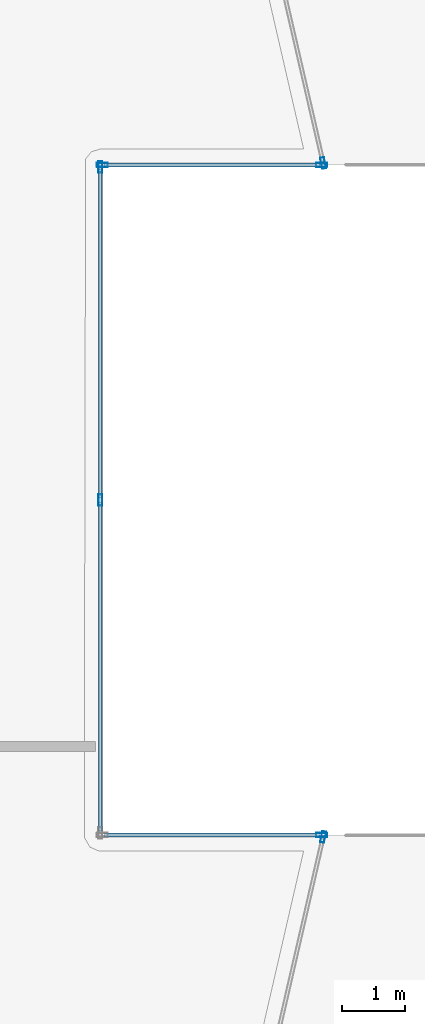
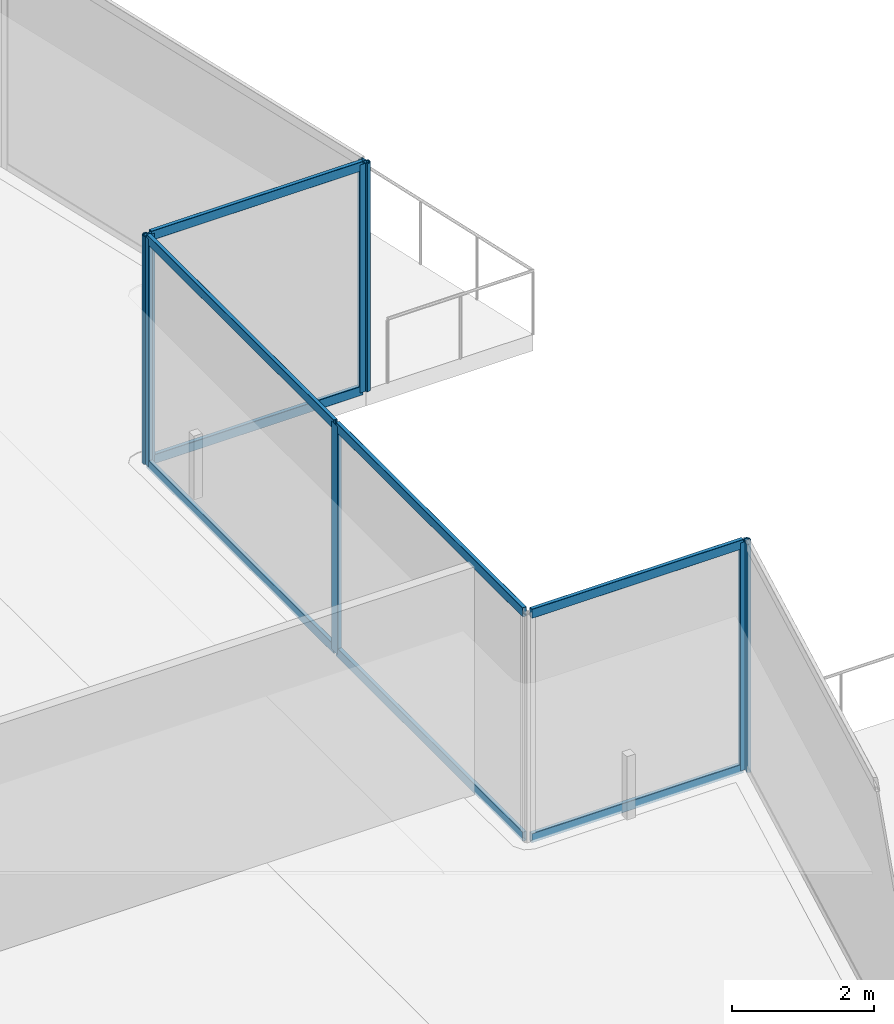
# One storey, part 24 of 44: 15 members, 5 elements without a shape of their own.
"""IFC4 building model written with IfcOpenShell, lengths in metres."""

from ifc_helpers import new_model, si_unit, direction, frame, origin, origin_2d, place, context, subcontext, project, spatial, hollow_rectangle, extrude, material, layer, layer_set, material_profile, profile_set, type_object, element, aggregate, save


model = new_model("IFC4")

# Units and contexts
model_context = context("Model", 3, precision=1e-05, world=origin(), true_north=direction((0.0, 1.0)))
body_context = subcontext(model_context, "Body", "Model", "MODEL_VIEW")
ifc_project = project(units=[si_unit("LENGTHUNIT", "METRE"), si_unit("AREAUNIT", "SQUARE_METRE"), si_unit("VOLUMEUNIT", "CUBIC_METRE"), si_unit("PLANEANGLEUNIT", "RADIAN"), si_unit("MASSUNIT", "GRAM", prefix="KILO")], contexts=[model_context])

# Site, building, storey
site_placement = place(None, origin())
site = spatial("IfcSite", under=ifc_project, at=site_placement, CompositionType="ELEMENT")
building_placement = place(site_placement, origin())
building = spatial("IfcBuilding", under=site, at=building_placement, Name="Qorvath Tower", CompositionType="ELEMENT")
storey_placement = place(building_placement, frame((0.0, 0.0, 45.0)))
storey = spatial("IfcBuildingStorey", under=building, at=storey_placement, Name="L09", CompositionType="ELEMENT", Elevation=45.0)

# Curtain wall, member
ifc_material_1 = material(Name="Anodised aluminium and triple low-E glass", Category="aluminium")
ifc_layer = layer(ifc_material_1, 0.179931640625)
ifc_layer_set = layer_set([ifc_layer], Name="CW-SYS-2")
curtain_wall_type = type_object("IfcCurtainWallType", Name="CW-SYS-2", PredefinedType="NOTDEFINED", material=ifc_layer_set)
curtain_wall_1_placement = place(storey_placement, origin())
curtain_wall_1 = element("IfcCurtainWall", 1, at=curtain_wall_1_placement, inside=storey, type_object=curtain_wall_type, Name="Curtain Wall CW-2 CW-T-L09-7.1", PredefinedType="NOTDEFINED")
ifc_material_2 = material(Name="Anodised aluminium 6063-T6", Category="aluminium")
ifc_material_profile_1 = material_profile(ifc_material_2, hollow_rectangle(XDim=0.06494140625, YDim=0.179931640625, WallThickness=0.00341796875, InnerFilletRadius=0.00341796875, OuterFilletRadius=0.007080078125, at=origin_2d()), Name="CWM 180x65")
ifc_profile_set_1 = profile_set([ifc_material_profile_1], Name="Anodised aluminium 6063-T6")
member_type_1 = type_object("IfcMemberType", Name="CWM-180", PredefinedType="MULLION", material=ifc_profile_set_1)
member_1_placement = place(storey_placement, frame((7.306884765625, -5.388427734375, 0.0), z_axis=(0.0, 0.0, 1.0), x_axis=(-0.974466004857, 0.224535087188, 0.0)))
member_1 = element("IfcMember", 2, at=member_1_placement, type_object=member_type_1, Name="CW-2 mullion 2", PredefinedType="MULLION", context=body_context, shape_type="SweptSolid", body=[
    extrude(hollow_rectangle(XDim=0.06494140625, YDim=0.179931640625, WallThickness=0.00341796875, InnerFilletRadius=0.00341796875, OuterFilletRadius=0.007080078125, at=origin_2d()), origin(), (0.0, 0.0, 1.0), 3.919921875),
])
aggregate(curtain_wall_1, [member_1])

curtain_wall_2_placement = place(storey_placement, origin())
curtain_wall_2 = element("IfcCurtainWall", 3, at=curtain_wall_2_placement, inside=storey, type_object=curtain_wall_type, Name="Curtain Wall CW-2 CW-T-L09-8.1", PredefinedType="NOTDEFINED")
member_2_placement = place(storey_placement, frame((7.28173828125, -5.356689453125, 0.0), z_axis=(0.0, 0.0, 1.0), x_axis=(0.0, -1.0, 0.0)))
member_2 = element("IfcMember", 4, at=member_2_placement, type_object=member_type_1, Name="CW-2 mullion 1", PredefinedType="MULLION", context=body_context, shape_type="SweptSolid", body=[
    extrude(hollow_rectangle(XDim=0.06494140625, YDim=0.179931640625, WallThickness=0.00341796875, InnerFilletRadius=0.00341796875, OuterFilletRadius=0.007080078125, at=origin_2d()), origin(), (0.0, 0.0, 1.0), 3.919921875),
])

# Curtain wall, members
curtain_wall_3_placement = place(storey_placement, origin())
curtain_wall_3 = element("IfcCurtainWall", 5, at=curtain_wall_3_placement, inside=storey, type_object=curtain_wall_type, Name="Curtain Wall CW-2 CW-T-L09-9.1", PredefinedType="NOTDEFINED")
member_3_placement = place(storey_placement, frame((3.742919921875, 0.0, 0.0), z_axis=(0.0, 0.0, 1.0), x_axis=(-1.0, 0.0, 0.0)))
member_3 = element("IfcMember", 6, at=member_3_placement, type_object=member_type_1, Name="CW-2 mullion 2", PredefinedType="MULLION", context=body_context, shape_type="SweptSolid", body=[
    extrude(hollow_rectangle(XDim=0.06494140625, YDim=0.179931640625, WallThickness=0.00341796875, InnerFilletRadius=0.00341796875, OuterFilletRadius=0.007080078125, at=origin_2d()), origin(), (0.0, 0.0, 1.0), 3.919921875),
])
member_4_placement = place(storey_placement, frame((3.742919921875, 5.32421875, 0.0), z_axis=(0.0, 0.0, 1.0), x_axis=(-1.0, 0.0, 0.0)))
member_4 = element("IfcMember", 7, at=member_4_placement, type_object=member_type_1, Name="CW-2 mullion 3", PredefinedType="MULLION", context=body_context, shape_type="SweptSolid", body=[
    extrude(hollow_rectangle(XDim=0.06494140625, YDim=0.179931640625, WallThickness=0.00341796875, InnerFilletRadius=0.00341796875, OuterFilletRadius=0.007080078125, at=origin_2d()), origin(), (0.0, 0.0, 1.0), 3.919921875),
])

curtain_wall_4_placement = place(storey_placement, origin())
curtain_wall_4 = element("IfcCurtainWall", 8, at=curtain_wall_4_placement, inside=storey, type_object=curtain_wall_type, Name="Curtain Wall CW-2 CW-T-L09-10.1", PredefinedType="NOTDEFINED")
member_5_placement = place(storey_placement, frame((3.775390625, 5.356689453125, 0.0), z_axis=(0.0, 0.0, 1.0), x_axis=(0.0, 1.0, 0.0)))
member_5 = element("IfcMember", 9, at=member_5_placement, type_object=member_type_1, Name="CW-2 mullion 1", PredefinedType="MULLION", context=body_context, shape_type="SweptSolid", body=[
    extrude(hollow_rectangle(XDim=0.06494140625, YDim=0.179931640625, WallThickness=0.00341796875, InnerFilletRadius=0.00341796875, OuterFilletRadius=0.007080078125, at=origin_2d()), origin(), (0.0, 0.0, 1.0), 3.919921875),
])
member_6_placement = place(storey_placement, frame((7.28173828125, 5.356689453125, 0.0), z_axis=(0.0, 0.0, 1.0), x_axis=(0.0, 1.0, 0.0)))
member_6 = element("IfcMember", 10, at=member_6_placement, type_object=member_type_1, Name="CW-2 mullion 2", PredefinedType="MULLION", context=body_context, shape_type="SweptSolid", body=[
    extrude(hollow_rectangle(XDim=0.06494140625, YDim=0.179931640625, WallThickness=0.00341796875, InnerFilletRadius=0.00341796875, OuterFilletRadius=0.007080078125, at=origin_2d()), origin(), (0.0, 0.0, 1.0), 3.919921875),
])

# Curtain wall, member
curtain_wall_5_placement = place(storey_placement, origin())
curtain_wall_5 = element("IfcCurtainWall", 11, at=curtain_wall_5_placement, inside=storey, type_object=curtain_wall_type, Name="Curtain Wall CW-2 CW-T-L09-11.1", PredefinedType="NOTDEFINED")
member_7_placement = place(storey_placement, frame((7.306884765625, 5.388427734375, 0.0), z_axis=(0.0, 0.0, 1.0), x_axis=(-0.974466004857, -0.224535087188, 0.0)))
member_7 = element("IfcMember", 12, at=member_7_placement, type_object=member_type_1, Name="CW-2 mullion 1", PredefinedType="MULLION", context=body_context, shape_type="SweptSolid", body=[
    extrude(hollow_rectangle(XDim=0.06494140625, YDim=0.179931640625, WallThickness=0.00341796875, InnerFilletRadius=0.00341796875, OuterFilletRadius=0.007080078125, at=origin_2d()), origin(), (0.0, 0.0, 1.0), 3.919921875),
])
aggregate(curtain_wall_5, [member_7])

# Member
ifc_material_3 = material(Name="Anodised aluminium 6063-T6", Category="aluminium")
ifc_material_profile_2 = material_profile(ifc_material_3, hollow_rectangle(XDim=0.06494140625, YDim=0.159912109375, WallThickness=0.00341796875, InnerFilletRadius=0.00341796875, OuterFilletRadius=0.007080078125, at=origin_2d()), Name="CWT 160x65")
ifc_profile_set_2 = profile_set([ifc_material_profile_2], Name="Anodised aluminium 6063-T6")
member_type_2 = type_object("IfcMemberType", Name="CWT-160", PredefinedType="USERDEFINED", material=ifc_profile_set_2)
member_8_placement = place(storey_placement, frame((7.249267578125, -5.356689453125, 0.032470703125), z_axis=(-1.0, 0.0, 0.0), x_axis=(0.0, -1.0, 0.0)))
member_8 = element("IfcMember", 13, at=member_8_placement, type_object=member_type_2, Name="CW-2 transom 1.1", ObjectType="TRANSOM", PredefinedType="USERDEFINED", context=body_context, shape_type="SweptSolid", body=[
    extrude(hollow_rectangle(XDim=0.06494140625, YDim=0.159912109375, WallThickness=0.00341796875, InnerFilletRadius=0.00341796875, OuterFilletRadius=0.007080078125, at=origin_2d()), origin(), (0.0, 0.0, 1.0), 3.44140625),
])

member_9_placement = place(storey_placement, frame((7.249267578125, -5.356689453125, 3.887451171875), z_axis=(-1.0, 0.0, 0.0), x_axis=(0.0, -1.0, 0.0)))
member_9 = element("IfcMember", 14, at=member_9_placement, type_object=member_type_2, Name="CW-2 transom 1.2", ObjectType="TRANSOM", PredefinedType="USERDEFINED", context=body_context, shape_type="SweptSolid", body=[
    extrude(hollow_rectangle(XDim=0.06494140625, YDim=0.159912109375, WallThickness=0.00341796875, InnerFilletRadius=0.00341796875, OuterFilletRadius=0.007080078125, at=origin_2d()), origin(), (0.0, 0.0, 1.0), 3.44140625),
])

aggregate(curtain_wall_2, [member_2, member_8, member_9])

member_10_placement = place(storey_placement, frame((3.742919921875, -5.291748046875, 0.032470703125), z_axis=(0.0, 1.0, 0.0), x_axis=(-1.0, 0.0, 0.0)))
member_10 = element("IfcMember", 15, at=member_10_placement, type_object=member_type_2, Name="CW-2 transom 1.1", ObjectType="TRANSOM", PredefinedType="USERDEFINED", context=body_context, shape_type="SweptSolid", body=[
    extrude(hollow_rectangle(XDim=0.06494140625, YDim=0.159912109375, WallThickness=0.00341796875, InnerFilletRadius=0.00341796875, OuterFilletRadius=0.007080078125, at=origin_2d()), origin(), (0.0, 0.0, 1.0), 5.25927734375),
])

member_11_placement = place(storey_placement, frame((3.742919921875, -5.291748046875, 3.887451171875), z_axis=(0.0, 1.0, 0.0), x_axis=(-1.0, 0.0, 0.0)))
member_11 = element("IfcMember", 16, at=member_11_placement, type_object=member_type_2, Name="CW-2 transom 1.2", ObjectType="TRANSOM", PredefinedType="USERDEFINED", context=body_context, shape_type="SweptSolid", body=[
    extrude(hollow_rectangle(XDim=0.06494140625, YDim=0.159912109375, WallThickness=0.00341796875, InnerFilletRadius=0.00341796875, OuterFilletRadius=0.007080078125, at=origin_2d()), origin(), (0.0, 0.0, 1.0), 5.25927734375),
])

member_12_placement = place(storey_placement, frame((3.742919921875, 0.032470703125, 0.032470703125), z_axis=(0.0, 1.0, 0.0), x_axis=(-1.0, 0.0, 0.0)))
member_12 = element("IfcMember", 17, at=member_12_placement, type_object=member_type_2, Name="CW-2 transom 2.1", ObjectType="TRANSOM", PredefinedType="USERDEFINED", context=body_context, shape_type="SweptSolid", body=[
    extrude(hollow_rectangle(XDim=0.06494140625, YDim=0.159912109375, WallThickness=0.00341796875, InnerFilletRadius=0.00341796875, OuterFilletRadius=0.007080078125, at=origin_2d()), origin(), (0.0, 0.0, 1.0), 5.25927734375),
])

member_13_placement = place(storey_placement, frame((3.742919921875, 0.032470703125, 3.887451171875), z_axis=(0.0, 1.0, 0.0), x_axis=(-1.0, 0.0, 0.0)))
member_13 = element("IfcMember", 18, at=member_13_placement, type_object=member_type_2, Name="CW-2 transom 2.2", ObjectType="TRANSOM", PredefinedType="USERDEFINED", context=body_context, shape_type="SweptSolid", body=[
    extrude(hollow_rectangle(XDim=0.06494140625, YDim=0.159912109375, WallThickness=0.00341796875, InnerFilletRadius=0.00341796875, OuterFilletRadius=0.007080078125, at=origin_2d()), origin(), (0.0, 0.0, 1.0), 5.25927734375),
])

aggregate(curtain_wall_3, [member_3, member_4, member_10, member_11, member_12, member_13])

member_14_placement = place(storey_placement, frame((3.807861328125, 5.356689453125, 0.032470703125), z_axis=(1.0, 0.0, 0.0), x_axis=(0.0, 1.0, 0.0)))
member_14 = element("IfcMember", 19, at=member_14_placement, type_object=member_type_2, Name="CW-2 transom 1.1", ObjectType="TRANSOM", PredefinedType="USERDEFINED", context=body_context, shape_type="SweptSolid", body=[
    extrude(hollow_rectangle(XDim=0.06494140625, YDim=0.159912109375, WallThickness=0.00341796875, InnerFilletRadius=0.00341796875, OuterFilletRadius=0.007080078125, at=origin_2d()), origin(), (0.0, 0.0, 1.0), 3.44140625),
])

member_15_placement = place(storey_placement, frame((3.807861328125, 5.356689453125, 3.887451171875), z_axis=(1.0, 0.0, 0.0), x_axis=(0.0, 1.0, 0.0)))
member_15 = element("IfcMember", 20, at=member_15_placement, type_object=member_type_2, Name="CW-2 transom 1.2", ObjectType="TRANSOM", PredefinedType="USERDEFINED", context=body_context, shape_type="SweptSolid", body=[
    extrude(hollow_rectangle(XDim=0.06494140625, YDim=0.159912109375, WallThickness=0.00341796875, InnerFilletRadius=0.00341796875, OuterFilletRadius=0.007080078125, at=origin_2d()), origin(), (0.0, 0.0, 1.0), 3.44140625),
])

aggregate(curtain_wall_4, [member_5, member_6, member_14, member_15])

save(model, "model.ifc")
